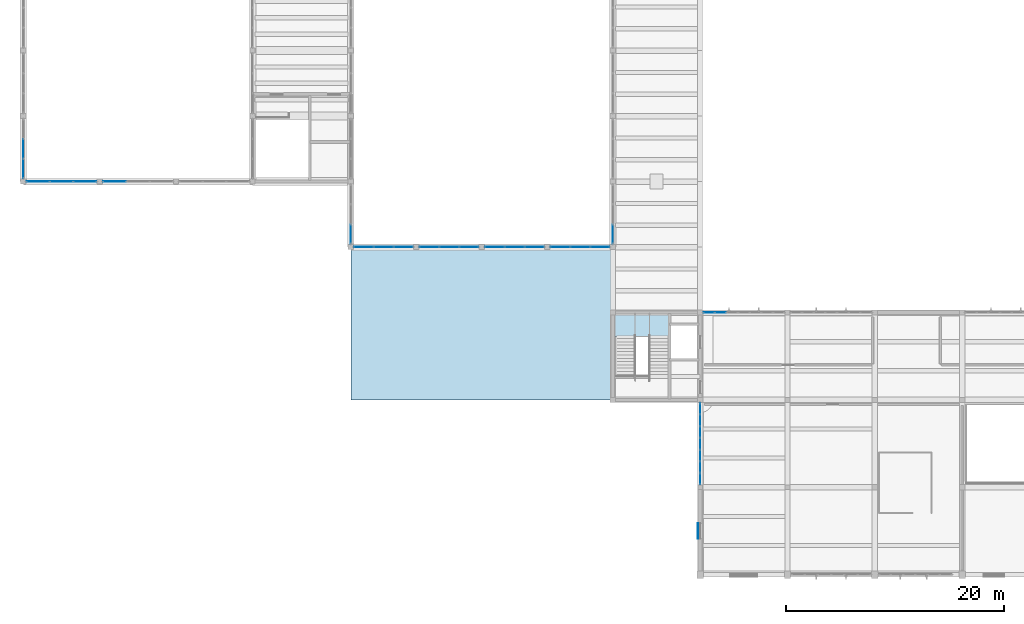
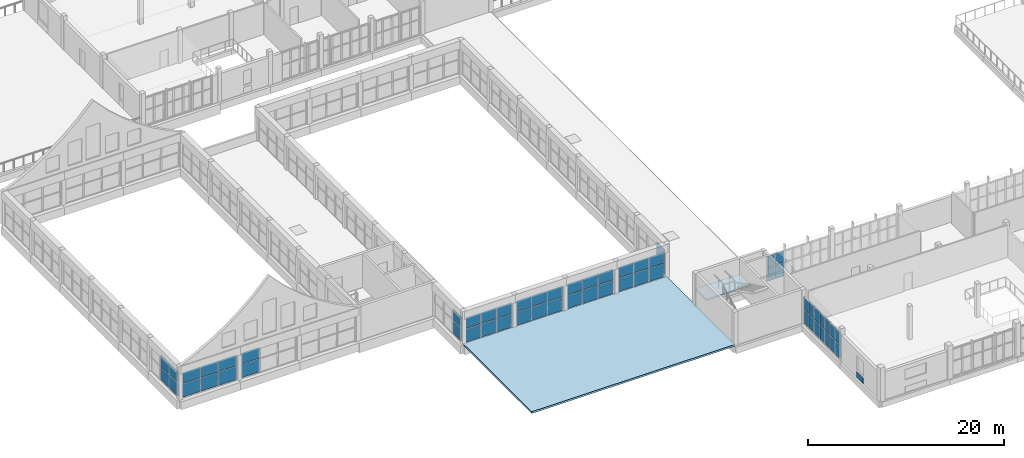
# One storey, part 39 of 70: 59 plates, 2 slabs, 12 elements without a shape of their own.
"""IFC4 building model written with IfcOpenShell, lengths in metres."""

from ifc_helpers import new_model, si_unit, direction, frame, origin, origin_2d, place, context, subcontext, project, spatial, polyline, rectangle, outline, extrude, material, layer, layer_set, type_object, element, aggregate, save


model = new_model("IFC4")

# Units and contexts
model_context = context("Model", 3, precision=1e-05, world=origin(), true_north=direction((0.0, 1.0)))
body_context = subcontext(model_context, "Body", "Model", "MODEL_VIEW")
ifc_project = project(units=[si_unit("LENGTHUNIT", "METRE"), si_unit("AREAUNIT", "SQUARE_METRE"), si_unit("VOLUMEUNIT", "CUBIC_METRE"), si_unit("PLANEANGLEUNIT", "RADIAN"), si_unit("MASSUNIT", "GRAM", prefix="KILO")], contexts=[model_context])

# Site, building, storey
site_placement = place(None, origin())
site = spatial("IfcSite", under=ifc_project, at=site_placement, CompositionType="ELEMENT")
building_placement = place(site_placement, origin())
building = spatial("IfcBuilding", under=site, at=building_placement, Name="Solvane Community Centre", CompositionType="ELEMENT")
storey_placement = place(building_placement, frame((0.0, 0.0, 9.60009765625)))
storey = spatial("IfcBuildingStorey", under=building, at=storey_placement, Name="L02", CompositionType="ELEMENT", Elevation=9.60009765625)

# Plate
ifc_material_1 = material(Name="Anodised bronze aluminium AW-6063 T6", Category="aluminium")
ifc_layer_1 = layer(ifc_material_1, 0.02392578125)
ifc_layer_set_1 = layer_set([ifc_layer_1], Name="Anodised bronze aluminium AW-6063 T6")
plate_type_1 = type_object("IfcPlateType", Name="Bronze Spandrel Cassette 24mm", PredefinedType="SHEET", material=ifc_layer_set_1)
plate_1_placement = place(storey_placement, frame((67.81298828125, 10.0, 0.06005859375), z_axis=(0.0, 0.0, 1.0), x_axis=(0.0, 1.0, 0.0)))
element("IfcPlate", 1, at=plate_1_placement, inside=storey, type_object=plate_type_1, Name="Art Deco Spandrel SPC-L02-033", PredefinedType="SHEET", context=body_context, shape_type="SweptSolid", body=[
    extrude(rectangle(XDim=1.39990234375, YDim=0.02392578125, at=origin_2d()), origin(), (0.0, 0.0, 1.0), 0.719970703125),
])

# Slab
ifc_material_2 = material(Name="Cross-laminated timber C24", Category="wood")
ifc_layer_2 = layer(ifc_material_2, 0.199951171875)
ifc_layer_set_2 = layer_set([ifc_layer_2], Name="Cross-laminated timber C24")
slab_type_1 = type_object("IfcSlabType", Name="Insulated Pitched Roof Deck 200mm", PredefinedType="ROOF", material=ifc_layer_set_2)
slab_1_placement = place(storey_placement, frame((0.0, 0.0, -0.22998046875)))
element("IfcSlab", 2, at=slab_1_placement, inside=storey, type_object=slab_type_1, Name="Podium Roof Slab SLB-RF-V1-FOY", PredefinedType="ROOF", context=body_context, shape_type="SweptSolid", body=[
    extrude(outline(polyline([(36.0, 22.0), (60.0, 22.0), (60.0, 36.0), (36.0, 36.0), (36.0, 22.0)])), origin(), (0.0, 0.0, 1.0), 0.22998046875),
])

# Curtain wall, plates
ifc_layer_3 = layer(ifc_material_1, 0.18994140625)
ifc_layer_set_3 = layer_set([ifc_layer_3], Name="Anodised bronze aluminium AW-6063 T6")
curtain_wall_type_1 = type_object("IfcCurtainWallType", Name="Boulevard Bronze Vision Curtain Wall [75x32dm]", PredefinedType="NOTDEFINED", material=ifc_layer_set_3)
curtain_wall_1_placement = place(storey_placement, origin())
curtain_wall_1 = element("IfcCurtainWall", 3, at=curtain_wall_1_placement, inside=storey, type_object=curtain_wall_type_1, Name="Curtain Wall CW-L02-683_300-192", PredefinedType="NOTDEFINED")
ifc_material_3 = material(Name="Tempered low-E double glazing", Category="glass")
ifc_layer_4 = layer(ifc_material_3, 0.028076171875)
ifc_layer_set_4 = layer_set([ifc_layer_4], Name="Tempered low-E double glazing")
plate_type_2 = type_object("IfcPlateType", Name="Low-E Vision Glazing Panel 28mm [75x32dm]", PredefinedType="CURTAIN_PANEL", material=ifc_layer_set_4)
plate_2_placement = place(storey_placement, frame((68.804931640625, 30.0, 0.06005859375), z_axis=(0.0, 0.0, 1.0), x_axis=(1.0, 0.0, 0.0)))
plate_2 = element("IfcPlate", 4, at=plate_2_placement, type_object=plate_type_2, Name="CW02-75x32 panel 1.1", PredefinedType="CURTAIN_PANEL", context=body_context, shape_type="SweptSolid", body=[
    extrude(rectangle(XDim=0.97998046875, YDim=0.028076171875, at=origin_2d()), origin(), (0.0, 0.0, 1.0), 1.695068359375),
])
plate_3_placement = place(storey_placement, frame((68.804931640625, 30.0, 1.81494140625), z_axis=(0.0, 0.0, 1.0), x_axis=(1.0, 0.0, 0.0)))
plate_3 = element("IfcPlate", 5, at=plate_3_placement, type_object=plate_type_2, Name="CW02-75x32 panel 1.2", PredefinedType="CURTAIN_PANEL", context=body_context, shape_type="SweptSolid", body=[
    extrude(rectangle(XDim=0.97998046875, YDim=0.028076171875, at=origin_2d()), origin(), (0.0, 0.0, 1.0), 1.3701171875),
])
plate_4_placement = place(storey_placement, frame((69.860107421875, 30.0, 0.06005859375), z_axis=(0.0, 0.0, 1.0), x_axis=(1.0, 0.0, 0.0)))
plate_4 = element("IfcPlate", 6, at=plate_4_placement, type_object=plate_type_2, Name="CW02-75x32 panel 2.1", PredefinedType="CURTAIN_PANEL", context=body_context, shape_type="SweptSolid", body=[
    extrude(rectangle(XDim=1.010009765625, YDim=0.028076171875, at=origin_2d()), origin(), (0.0, 0.0, 1.0), 1.695068359375),
])
plate_5_placement = place(storey_placement, frame((69.860107421875, 30.0, 1.81494140625), z_axis=(0.0, 0.0, 1.0), x_axis=(1.0, 0.0, 0.0)))
plate_5 = element("IfcPlate", 7, at=plate_5_placement, type_object=plate_type_2, Name="CW02-75x32 panel 2.2", PredefinedType="CURTAIN_PANEL", context=body_context, shape_type="SweptSolid", body=[
    extrude(rectangle(XDim=1.010009765625, YDim=0.028076171875, at=origin_2d()), origin(), (0.0, 0.0, 1.0), 1.3701171875),
])
aggregate(curtain_wall_1, [plate_2, plate_3, plate_4, plate_5])

ifc_layer_5 = layer(ifc_material_1, 0.18994140625)
ifc_layer_set_5 = layer_set([ifc_layer_5], Name="Anodised bronze aluminium AW-6063 T6")
curtain_wall_type_2 = type_object("IfcCurtainWallType", Name="Boulevard Bronze Vision Curtain Wall [75x34dm]", PredefinedType="NOTDEFINED", material=ifc_layer_set_5)
curtain_wall_2_placement = place(storey_placement, origin())
curtain_wall_2 = element("IfcCurtainWall", 8, at=curtain_wall_2_placement, inside=storey, type_object=curtain_wall_type_2, Name="Curtain Wall CW-L02-680_142-191", PredefinedType="NOTDEFINED")
ifc_layer_6 = layer(ifc_material_3, 0.028076171875)
ifc_layer_set_6 = layer_set([ifc_layer_6], Name="Tempered low-E double glazing")
plate_type_3 = type_object("IfcPlateType", Name="Low-E Vision Glazing Panel 28mm [75x34dm]", PredefinedType="CURTAIN_PANEL", material=ifc_layer_set_6)
plate_6_placement = place(storey_placement, frame((68.0, 14.786376953125, 0.06005859375), z_axis=(0.0, 0.0, 1.0), x_axis=(0.0, 1.0, 0.0)))
plate_6 = element("IfcPlate", 9, at=plate_6_placement, type_object=plate_type_3, Name="CW02-75x34 panel 1.1", PredefinedType="CURTAIN_PANEL", context=body_context, shape_type="SweptSolid", body=[
    extrude(rectangle(XDim=0.98291015625, YDim=0.028076171875, at=origin_2d()), origin(), (0.0, 0.0, 1.0), 1.760986328125),
])
plate_7_placement = place(storey_placement, frame((68.0, 14.786376953125, 1.880859375), z_axis=(0.0, 0.0, 1.0), x_axis=(0.0, 1.0, 0.0)))
plate_7 = element("IfcPlate", 10, at=plate_7_placement, type_object=plate_type_3, Name="CW02-75x34 panel 1.2", PredefinedType="CURTAIN_PANEL", context=body_context, shape_type="SweptSolid", body=[
    extrude(rectangle(XDim=0.98291015625, YDim=0.028076171875, at=origin_2d()), origin(), (0.0, 0.0, 1.0), 1.424072265625),
])
plate_8_placement = place(storey_placement, frame((68.0, 15.84423828125, 0.06005859375), z_axis=(0.0, 0.0, 1.0), x_axis=(0.0, 1.0, 0.0)))
plate_8 = element("IfcPlate", 11, at=plate_8_placement, type_object=plate_type_3, Name="CW02-75x34 panel 2.1", PredefinedType="CURTAIN_PANEL", context=body_context, shape_type="SweptSolid", body=[
    extrude(rectangle(XDim=1.012939453125, YDim=0.028076171875, at=origin_2d()), origin(), (0.0, 0.0, 1.0), 1.760986328125),
])
plate_9_placement = place(storey_placement, frame((68.0, 15.84423828125, 1.880859375), z_axis=(0.0, 0.0, 1.0), x_axis=(0.0, 1.0, 0.0)))
plate_9 = element("IfcPlate", 12, at=plate_9_placement, type_object=plate_type_3, Name="CW02-75x34 panel 2.2", PredefinedType="CURTAIN_PANEL", context=body_context, shape_type="SweptSolid", body=[
    extrude(rectangle(XDim=1.012939453125, YDim=0.028076171875, at=origin_2d()), origin(), (0.0, 0.0, 1.0), 1.424072265625),
])
plate_10_placement = place(storey_placement, frame((68.0, 16.917236328125, 0.06005859375), z_axis=(0.0, 0.0, 1.0), x_axis=(0.0, 1.0, 0.0)))
plate_10 = element("IfcPlate", 13, at=plate_10_placement, type_object=plate_type_3, Name="CW02-75x34 panel 3.1", PredefinedType="CURTAIN_PANEL", context=body_context, shape_type="SweptSolid", body=[
    extrude(rectangle(XDim=1.012939453125, YDim=0.028076171875, at=origin_2d()), origin(), (0.0, 0.0, 1.0), 1.760986328125),
])
plate_11_placement = place(storey_placement, frame((68.0, 16.917236328125, 1.880859375), z_axis=(0.0, 0.0, 1.0), x_axis=(0.0, 1.0, 0.0)))
plate_11 = element("IfcPlate", 14, at=plate_11_placement, type_object=plate_type_3, Name="CW02-75x34 panel 3.2", PredefinedType="CURTAIN_PANEL", context=body_context, shape_type="SweptSolid", body=[
    extrude(rectangle(XDim=1.012939453125, YDim=0.028076171875, at=origin_2d()), origin(), (0.0, 0.0, 1.0), 1.424072265625),
])
plate_12_placement = place(storey_placement, frame((68.0, 17.989990234375, 0.06005859375), z_axis=(0.0, 0.0, 1.0), x_axis=(0.0, 1.0, 0.0)))
plate_12 = element("IfcPlate", 15, at=plate_12_placement, type_object=plate_type_3, Name="CW02-75x34 panel 4.1", PredefinedType="CURTAIN_PANEL", context=body_context, shape_type="SweptSolid", body=[
    extrude(rectangle(XDim=1.012939453125, YDim=0.028076171875, at=origin_2d()), origin(), (0.0, 0.0, 1.0), 1.760986328125),
])
plate_13_placement = place(storey_placement, frame((68.0, 17.989990234375, 1.880859375), z_axis=(0.0, 0.0, 1.0), x_axis=(0.0, 1.0, 0.0)))
plate_13 = element("IfcPlate", 16, at=plate_13_placement, type_object=plate_type_3, Name="CW02-75x34 panel 4.2", PredefinedType="CURTAIN_PANEL", context=body_context, shape_type="SweptSolid", body=[
    extrude(rectangle(XDim=1.012939453125, YDim=0.028076171875, at=origin_2d()), origin(), (0.0, 0.0, 1.0), 1.424072265625),
])
plate_14_placement = place(storey_placement, frame((68.0, 19.062744140625, 0.06005859375), z_axis=(0.0, 0.0, 1.0), x_axis=(0.0, 1.0, 0.0)))
plate_14 = element("IfcPlate", 17, at=plate_14_placement, type_object=plate_type_3, Name="CW02-75x34 panel 5.1", PredefinedType="CURTAIN_PANEL", context=body_context, shape_type="SweptSolid", body=[
    extrude(rectangle(XDim=1.012939453125, YDim=0.028076171875, at=origin_2d()), origin(), (0.0, 0.0, 1.0), 1.760986328125),
])
plate_15_placement = place(storey_placement, frame((68.0, 19.062744140625, 1.880859375), z_axis=(0.0, 0.0, 1.0), x_axis=(0.0, 1.0, 0.0)))
plate_15 = element("IfcPlate", 18, at=plate_15_placement, type_object=plate_type_3, Name="CW02-75x34 panel 5.2", PredefinedType="CURTAIN_PANEL", context=body_context, shape_type="SweptSolid", body=[
    extrude(rectangle(XDim=1.012939453125, YDim=0.028076171875, at=origin_2d()), origin(), (0.0, 0.0, 1.0), 1.424072265625),
])
plate_16_placement = place(storey_placement, frame((68.0, 20.1357421875, 0.06005859375), z_axis=(0.0, 0.0, 1.0), x_axis=(0.0, 1.0, 0.0)))
plate_16 = element("IfcPlate", 19, at=plate_16_placement, type_object=plate_type_3, Name="CW02-75x34 panel 6.1", PredefinedType="CURTAIN_PANEL", context=body_context, shape_type="SweptSolid", body=[
    extrude(rectangle(XDim=1.012939453125, YDim=0.028076171875, at=origin_2d()), origin(), (0.0, 0.0, 1.0), 1.760986328125),
])
plate_17_placement = place(storey_placement, frame((68.0, 20.1357421875, 1.880859375), z_axis=(0.0, 0.0, 1.0), x_axis=(0.0, 1.0, 0.0)))
plate_17 = element("IfcPlate", 20, at=plate_17_placement, type_object=plate_type_3, Name="CW02-75x34 panel 6.2", PredefinedType="CURTAIN_PANEL", context=body_context, shape_type="SweptSolid", body=[
    extrude(rectangle(XDim=1.012939453125, YDim=0.028076171875, at=origin_2d()), origin(), (0.0, 0.0, 1.0), 1.424072265625),
])
plate_18_placement = place(storey_placement, frame((68.0, 21.193603515625, 0.06005859375), z_axis=(0.0, 0.0, 1.0), x_axis=(0.0, 1.0, 0.0)))
plate_18 = element("IfcPlate", 21, at=plate_18_placement, type_object=plate_type_3, Name="CW02-75x34 panel 7.1", PredefinedType="CURTAIN_PANEL", context=body_context, shape_type="SweptSolid", body=[
    extrude(rectangle(XDim=0.98291015625, YDim=0.028076171875, at=origin_2d()), origin(), (0.0, 0.0, 1.0), 1.760986328125),
])
plate_19_placement = place(storey_placement, frame((68.0, 21.193603515625, 1.880859375), z_axis=(0.0, 0.0, 1.0), x_axis=(0.0, 1.0, 0.0)))
plate_19 = element("IfcPlate", 22, at=plate_19_placement, type_object=plate_type_3, Name="CW02-75x34 panel 7.2", PredefinedType="CURTAIN_PANEL", context=body_context, shape_type="SweptSolid", body=[
    extrude(rectangle(XDim=0.98291015625, YDim=0.028076171875, at=origin_2d()), origin(), (0.0, 0.0, 1.0), 1.424072265625),
])
aggregate(curtain_wall_2, [plate_6, plate_7, plate_8, plate_9, plate_10, plate_11, plate_12, plate_13, plate_14, plate_15, plate_16, plate_17, plate_18, plate_19])

# Stair, slab
ifc_material_4 = material(Name="Concrete C35/45", Category="concrete")
stair_type = type_object("IfcStairType", Name="RC Two-Flight Escape Stair 1720mm", PredefinedType="TWO_STRAIGHT_RUN_STAIR", material=ifc_material_4)
stair_placement = place(storey_placement, origin())
stair = element("IfcStair", 23, at=stair_placement, inside=storey, type_object=stair_type, Name="Stair STR-C1-L02", PredefinedType="TWO_STRAIGHT_RUN_STAIR")
ifc_layer_7 = layer(ifc_material_4, 0.199951171875)
ifc_layer_set_7 = layer_set([ifc_layer_7], Name="Concrete C35/45")
slab_type_2 = type_object("IfcSlabType", Name="RC Stair Half-Landing Slab 200mm", PredefinedType="LANDING", material=ifc_layer_set_7)
slab_2_placement = place(storey_placement, frame((0.0, 0.0, 1.89990234375)))
slab_2 = element("IfcSlab", 24, at=slab_2_placement, type_object=slab_type_2, Name="ST-01 landing 1", PredefinedType="LANDING", context=body_context, shape_type="SweptSolid", body=[
    extrude(outline(polyline([(59.9599609375, 27.800048828125), (65.239990234375, 27.800048828125), (65.239990234375, 30.0400390625), (59.9599609375, 30.0400390625), (59.9599609375, 27.800048828125)])), origin(), (0.0, 0.0, 1.0), 0.199951171875),
])
aggregate(stair, [slab_2])

# Curtain wall, plates
ifc_layer_8 = layer(ifc_material_1, 0.179931640625)
ifc_layer_set_8 = layer_set([ifc_layer_8], Name="Anodised bronze aluminium AW-6063 T6")
curtain_wall_type_3 = type_object("IfcCurtainWallType", Name="Hall Translucent Upper Curtain Wall [55x32dm]", PredefinedType="NOTDEFINED", material=ifc_layer_set_8)
curtain_wall_3_placement = place(storey_placement, origin())
curtain_wall_3 = element("IfcCurtainWall", 25, at=curtain_wall_3_placement, inside=storey, type_object=curtain_wall_type_3, Name="Curtain Wall CW-L02-360_417-128", PredefinedType="NOTDEFINED")
ifc_material_5 = material(Name="Translucent polycarbonate panel")
ifc_layer_9 = layer(ifc_material_5, 0.028076171875)
ifc_layer_set_9 = layer_set([ifc_layer_9], Name="Translucent polycarbonate panel")
plate_type_4 = type_object("IfcPlateType", Name="Translucent Polycarbonate Panel 28mm [55x32dm]", PredefinedType="CURTAIN_PANEL", material=ifc_layer_set_9)
plate_20_placement = place(storey_placement, frame((36.0, 37.18505859375, 0.059814453125), z_axis=(0.0, 0.0, 1.0), x_axis=(0.0, -1.0, 0.0)))
plate_20 = element("IfcPlate", 26, at=plate_20_placement, type_object=plate_type_4, Name="CW01-55x32 panel 3.1", PredefinedType="CURTAIN_PANEL", context=body_context, shape_type="SweptSolid", body=[
    extrude(rectangle(XDim=1.739990234375, YDim=0.028076171875, at=origin_2d()), origin(), (0.0, 0.0, 1.0), 1.662109375),
])
plate_21_placement = place(storey_placement, frame((36.0, 37.18505859375, 1.78173828125), z_axis=(0.0, 0.0, 1.0), x_axis=(0.0, -1.0, 0.0)))
plate_21 = element("IfcPlate", 27, at=plate_21_placement, type_object=plate_type_4, Name="CW01-55x32 panel 3.2", PredefinedType="CURTAIN_PANEL", context=body_context, shape_type="SweptSolid", body=[
    extrude(rectangle(XDim=1.739990234375, YDim=0.028076171875, at=origin_2d()), origin(), (0.0, 0.0, 1.0), 1.343017578125),
])
aggregate(curtain_wall_3, [plate_20, plate_21])

curtain_wall_4_placement = place(storey_placement, origin())
curtain_wall_4 = element("IfcCurtainWall", 28, at=curtain_wall_4_placement, inside=storey, type_object=curtain_wall_type_3, Name="Curtain Wall CW-L02-600_363-136", PredefinedType="NOTDEFINED")
plate_22_placement = place(storey_placement, frame((60.0, 37.18505859375, 0.059814453125), z_axis=(0.0, 0.0, 1.0), x_axis=(0.0, 1.0, 0.0)))
plate_22 = element("IfcPlate", 29, at=plate_22_placement, type_object=plate_type_4, Name="CW01-55x32 panel 1.1", PredefinedType="CURTAIN_PANEL", context=body_context, shape_type="SweptSolid", body=[
    extrude(rectangle(XDim=1.739990234375, YDim=0.028076171875, at=origin_2d()), origin(), (0.0, 0.0, 1.0), 1.662109375),
])
plate_23_placement = place(storey_placement, frame((60.0, 37.18505859375, 1.78173828125), z_axis=(0.0, 0.0, 1.0), x_axis=(0.0, 1.0, 0.0)))
plate_23 = element("IfcPlate", 30, at=plate_23_placement, type_object=plate_type_4, Name="CW01-55x32 panel 1.2", PredefinedType="CURTAIN_PANEL", context=body_context, shape_type="SweptSolid", body=[
    extrude(rectangle(XDim=1.739990234375, YDim=0.028076171875, at=origin_2d()), origin(), (0.0, 0.0, 1.0), 1.343017578125),
])
aggregate(curtain_wall_4, [plate_22, plate_23])

curtain_wall_5_placement = place(storey_placement, origin())
curtain_wall_5 = element("IfcCurtainWall", 31, at=curtain_wall_5_placement, inside=storey, type_object=curtain_wall_type_3, Name="Curtain Wall CW-L02-597_360-150", PredefinedType="NOTDEFINED")
plate_24_placement = place(storey_placement, frame((58.81494140625, 36.0, 0.059814453125), z_axis=(0.0, 0.0, 1.0), x_axis=(-1.0, 0.0, 0.0)))
plate_24 = element("IfcPlate", 32, at=plate_24_placement, type_object=plate_type_4, Name="CW01-55x32 panel 1.1", PredefinedType="CURTAIN_PANEL", context=body_context, shape_type="SweptSolid", body=[
    extrude(rectangle(XDim=1.739990234375, YDim=0.028076171875, at=origin_2d()), origin(), (0.0, 0.0, 1.0), 1.662109375),
])
plate_25_placement = place(storey_placement, frame((58.81494140625, 36.0, 1.78173828125), z_axis=(0.0, 0.0, 1.0), x_axis=(-1.0, 0.0, 0.0)))
plate_25 = element("IfcPlate", 33, at=plate_25_placement, type_object=plate_type_4, Name="CW01-55x32 panel 1.2", PredefinedType="CURTAIN_PANEL", context=body_context, shape_type="SweptSolid", body=[
    extrude(rectangle(XDim=1.739990234375, YDim=0.028076171875, at=origin_2d()), origin(), (0.0, 0.0, 1.0), 1.343017578125),
])
plate_26_placement = place(storey_placement, frame((57.0, 36.0, 0.059814453125), z_axis=(0.0, 0.0, 1.0), x_axis=(-1.0, 0.0, 0.0)))
plate_26 = element("IfcPlate", 34, at=plate_26_placement, type_object=plate_type_4, Name="CW01-55x32 panel 2.1", PredefinedType="CURTAIN_PANEL", context=body_context, shape_type="SweptSolid", body=[
    extrude(rectangle(XDim=1.77001953125, YDim=0.028076171875, at=origin_2d()), origin(), (0.0, 0.0, 1.0), 1.662109375),
])
plate_27_placement = place(storey_placement, frame((57.0, 36.0, 1.78173828125), z_axis=(0.0, 0.0, 1.0), x_axis=(-1.0, 0.0, 0.0)))
plate_27 = element("IfcPlate", 35, at=plate_27_placement, type_object=plate_type_4, Name="CW01-55x32 panel 2.2", PredefinedType="CURTAIN_PANEL", context=body_context, shape_type="SweptSolid", body=[
    extrude(rectangle(XDim=1.77001953125, YDim=0.028076171875, at=origin_2d()), origin(), (0.0, 0.0, 1.0), 1.343017578125),
])
plate_28_placement = place(storey_placement, frame((55.18505859375, 36.0, 0.059814453125), z_axis=(0.0, 0.0, 1.0), x_axis=(-1.0, 0.0, 0.0)))
plate_28 = element("IfcPlate", 36, at=plate_28_placement, type_object=plate_type_4, Name="CW01-55x32 panel 3.1", PredefinedType="CURTAIN_PANEL", context=body_context, shape_type="SweptSolid", body=[
    extrude(rectangle(XDim=1.739990234375, YDim=0.028076171875, at=origin_2d()), origin(), (0.0, 0.0, 1.0), 1.662109375),
])
plate_29_placement = place(storey_placement, frame((55.18505859375, 36.0, 1.78173828125), z_axis=(0.0, 0.0, 1.0), x_axis=(-1.0, 0.0, 0.0)))
plate_29 = element("IfcPlate", 37, at=plate_29_placement, type_object=plate_type_4, Name="CW01-55x32 panel 3.2", PredefinedType="CURTAIN_PANEL", context=body_context, shape_type="SweptSolid", body=[
    extrude(rectangle(XDim=1.739990234375, YDim=0.028076171875, at=origin_2d()), origin(), (0.0, 0.0, 1.0), 1.343017578125),
])
aggregate(curtain_wall_5, [plate_24, plate_25, plate_26, plate_27, plate_28, plate_29])

curtain_wall_6_placement = place(storey_placement, origin())
curtain_wall_6 = element("IfcCurtainWall", 38, at=curtain_wall_6_placement, inside=storey, type_object=curtain_wall_type_3, Name="Curtain Wall CW-L02-537_360-151", PredefinedType="NOTDEFINED")
plate_30_placement = place(storey_placement, frame((52.81494140625, 36.0, 0.059814453125), z_axis=(0.0, 0.0, 1.0), x_axis=(-1.0, 0.0, 0.0)))
plate_30 = element("IfcPlate", 39, at=plate_30_placement, type_object=plate_type_4, Name="CW01-55x32 panel 1.1", PredefinedType="CURTAIN_PANEL", context=body_context, shape_type="SweptSolid", body=[
    extrude(rectangle(XDim=1.739990234375, YDim=0.028076171875, at=origin_2d()), origin(), (0.0, 0.0, 1.0), 1.662109375),
])
plate_31_placement = place(storey_placement, frame((52.81494140625, 36.0, 1.78173828125), z_axis=(0.0, 0.0, 1.0), x_axis=(-1.0, 0.0, 0.0)))
plate_31 = element("IfcPlate", 40, at=plate_31_placement, type_object=plate_type_4, Name="CW01-55x32 panel 1.2", PredefinedType="CURTAIN_PANEL", context=body_context, shape_type="SweptSolid", body=[
    extrude(rectangle(XDim=1.739990234375, YDim=0.028076171875, at=origin_2d()), origin(), (0.0, 0.0, 1.0), 1.343017578125),
])
plate_32_placement = place(storey_placement, frame((51.0, 36.0, 0.059814453125), z_axis=(0.0, 0.0, 1.0), x_axis=(-1.0, 0.0, 0.0)))
plate_32 = element("IfcPlate", 41, at=plate_32_placement, type_object=plate_type_4, Name="CW01-55x32 panel 2.1", PredefinedType="CURTAIN_PANEL", context=body_context, shape_type="SweptSolid", body=[
    extrude(rectangle(XDim=1.77001953125, YDim=0.028076171875, at=origin_2d()), origin(), (0.0, 0.0, 1.0), 1.662109375),
])
plate_33_placement = place(storey_placement, frame((51.0, 36.0, 1.78173828125), z_axis=(0.0, 0.0, 1.0), x_axis=(-1.0, 0.0, 0.0)))
plate_33 = element("IfcPlate", 42, at=plate_33_placement, type_object=plate_type_4, Name="CW01-55x32 panel 2.2", PredefinedType="CURTAIN_PANEL", context=body_context, shape_type="SweptSolid", body=[
    extrude(rectangle(XDim=1.77001953125, YDim=0.028076171875, at=origin_2d()), origin(), (0.0, 0.0, 1.0), 1.343017578125),
])
plate_34_placement = place(storey_placement, frame((49.18505859375, 36.0, 0.059814453125), z_axis=(0.0, 0.0, 1.0), x_axis=(-1.0, 0.0, 0.0)))
plate_34 = element("IfcPlate", 43, at=plate_34_placement, type_object=plate_type_4, Name="CW01-55x32 panel 3.1", PredefinedType="CURTAIN_PANEL", context=body_context, shape_type="SweptSolid", body=[
    extrude(rectangle(XDim=1.739990234375, YDim=0.028076171875, at=origin_2d()), origin(), (0.0, 0.0, 1.0), 1.662109375),
])
plate_35_placement = place(storey_placement, frame((49.18505859375, 36.0, 1.78173828125), z_axis=(0.0, 0.0, 1.0), x_axis=(-1.0, 0.0, 0.0)))
plate_35 = element("IfcPlate", 44, at=plate_35_placement, type_object=plate_type_4, Name="CW01-55x32 panel 3.2", PredefinedType="CURTAIN_PANEL", context=body_context, shape_type="SweptSolid", body=[
    extrude(rectangle(XDim=1.739990234375, YDim=0.028076171875, at=origin_2d()), origin(), (0.0, 0.0, 1.0), 1.343017578125),
])
aggregate(curtain_wall_6, [plate_30, plate_31, plate_32, plate_33, plate_34, plate_35])

curtain_wall_7_placement = place(storey_placement, origin())
curtain_wall_7 = element("IfcCurtainWall", 45, at=curtain_wall_7_placement, inside=storey, type_object=curtain_wall_type_3, Name="Curtain Wall CW-L02-477_360-152", PredefinedType="NOTDEFINED")
plate_36_placement = place(storey_placement, frame((46.81494140625, 36.0, 0.059814453125), z_axis=(0.0, 0.0, 1.0), x_axis=(-1.0, 0.0, 0.0)))
plate_36 = element("IfcPlate", 46, at=plate_36_placement, type_object=plate_type_4, Name="CW01-55x32 panel 1.1", PredefinedType="CURTAIN_PANEL", context=body_context, shape_type="SweptSolid", body=[
    extrude(rectangle(XDim=1.739990234375, YDim=0.028076171875, at=origin_2d()), origin(), (0.0, 0.0, 1.0), 1.662109375),
])
plate_37_placement = place(storey_placement, frame((46.81494140625, 36.0, 1.78173828125), z_axis=(0.0, 0.0, 1.0), x_axis=(-1.0, 0.0, 0.0)))
plate_37 = element("IfcPlate", 47, at=plate_37_placement, type_object=plate_type_4, Name="CW01-55x32 panel 1.2", PredefinedType="CURTAIN_PANEL", context=body_context, shape_type="SweptSolid", body=[
    extrude(rectangle(XDim=1.739990234375, YDim=0.028076171875, at=origin_2d()), origin(), (0.0, 0.0, 1.0), 1.343017578125),
])
plate_38_placement = place(storey_placement, frame((45.0, 36.0, 0.059814453125), z_axis=(0.0, 0.0, 1.0), x_axis=(-1.0, 0.0, 0.0)))
plate_38 = element("IfcPlate", 48, at=plate_38_placement, type_object=plate_type_4, Name="CW01-55x32 panel 2.1", PredefinedType="CURTAIN_PANEL", context=body_context, shape_type="SweptSolid", body=[
    extrude(rectangle(XDim=1.77001953125, YDim=0.028076171875, at=origin_2d()), origin(), (0.0, 0.0, 1.0), 1.662109375),
])
plate_39_placement = place(storey_placement, frame((45.0, 36.0, 1.78173828125), z_axis=(0.0, 0.0, 1.0), x_axis=(-1.0, 0.0, 0.0)))
plate_39 = element("IfcPlate", 49, at=plate_39_placement, type_object=plate_type_4, Name="CW01-55x32 panel 2.2", PredefinedType="CURTAIN_PANEL", context=body_context, shape_type="SweptSolid", body=[
    extrude(rectangle(XDim=1.77001953125, YDim=0.028076171875, at=origin_2d()), origin(), (0.0, 0.0, 1.0), 1.343017578125),
])
plate_40_placement = place(storey_placement, frame((43.18505859375, 36.0, 0.059814453125), z_axis=(0.0, 0.0, 1.0), x_axis=(-1.0, 0.0, 0.0)))
plate_40 = element("IfcPlate", 50, at=plate_40_placement, type_object=plate_type_4, Name="CW01-55x32 panel 3.1", PredefinedType="CURTAIN_PANEL", context=body_context, shape_type="SweptSolid", body=[
    extrude(rectangle(XDim=1.739990234375, YDim=0.028076171875, at=origin_2d()), origin(), (0.0, 0.0, 1.0), 1.662109375),
])
plate_41_placement = place(storey_placement, frame((43.18505859375, 36.0, 1.78173828125), z_axis=(0.0, 0.0, 1.0), x_axis=(-1.0, 0.0, 0.0)))
plate_41 = element("IfcPlate", 51, at=plate_41_placement, type_object=plate_type_4, Name="CW01-55x32 panel 3.2", PredefinedType="CURTAIN_PANEL", context=body_context, shape_type="SweptSolid", body=[
    extrude(rectangle(XDim=1.739990234375, YDim=0.028076171875, at=origin_2d()), origin(), (0.0, 0.0, 1.0), 1.343017578125),
])
aggregate(curtain_wall_7, [plate_36, plate_37, plate_38, plate_39, plate_40, plate_41])

curtain_wall_8_placement = place(storey_placement, origin())
curtain_wall_8 = element("IfcCurtainWall", 52, at=curtain_wall_8_placement, inside=storey, type_object=curtain_wall_type_3, Name="Curtain Wall CW-L02-417_360-153", PredefinedType="NOTDEFINED")
plate_42_placement = place(storey_placement, frame((40.81494140625, 36.0, 0.059814453125), z_axis=(0.0, 0.0, 1.0), x_axis=(-1.0, 0.0, 0.0)))
plate_42 = element("IfcPlate", 53, at=plate_42_placement, type_object=plate_type_4, Name="CW01-55x32 panel 1.1", PredefinedType="CURTAIN_PANEL", context=body_context, shape_type="SweptSolid", body=[
    extrude(rectangle(XDim=1.739990234375, YDim=0.028076171875, at=origin_2d()), origin(), (0.0, 0.0, 1.0), 1.662109375),
])
plate_43_placement = place(storey_placement, frame((40.81494140625, 36.0, 1.78173828125), z_axis=(0.0, 0.0, 1.0), x_axis=(-1.0, 0.0, 0.0)))
plate_43 = element("IfcPlate", 54, at=plate_43_placement, type_object=plate_type_4, Name="CW01-55x32 panel 1.2", PredefinedType="CURTAIN_PANEL", context=body_context, shape_type="SweptSolid", body=[
    extrude(rectangle(XDim=1.739990234375, YDim=0.028076171875, at=origin_2d()), origin(), (0.0, 0.0, 1.0), 1.343017578125),
])
plate_44_placement = place(storey_placement, frame((39.0, 36.0, 0.059814453125), z_axis=(0.0, 0.0, 1.0), x_axis=(-1.0, 0.0, 0.0)))
plate_44 = element("IfcPlate", 55, at=plate_44_placement, type_object=plate_type_4, Name="CW01-55x32 panel 2.1", PredefinedType="CURTAIN_PANEL", context=body_context, shape_type="SweptSolid", body=[
    extrude(rectangle(XDim=1.77001953125, YDim=0.028076171875, at=origin_2d()), origin(), (0.0, 0.0, 1.0), 1.662109375),
])
plate_45_placement = place(storey_placement, frame((39.0, 36.0, 1.78173828125), z_axis=(0.0, 0.0, 1.0), x_axis=(-1.0, 0.0, 0.0)))
plate_45 = element("IfcPlate", 56, at=plate_45_placement, type_object=plate_type_4, Name="CW01-55x32 panel 2.2", PredefinedType="CURTAIN_PANEL", context=body_context, shape_type="SweptSolid", body=[
    extrude(rectangle(XDim=1.77001953125, YDim=0.028076171875, at=origin_2d()), origin(), (0.0, 0.0, 1.0), 1.343017578125),
])
plate_46_placement = place(storey_placement, frame((37.18505859375, 36.0, 0.059814453125), z_axis=(0.0, 0.0, 1.0), x_axis=(-1.0, 0.0, 0.0)))
plate_46 = element("IfcPlate", 57, at=plate_46_placement, type_object=plate_type_4, Name="CW01-55x32 panel 3.1", PredefinedType="CURTAIN_PANEL", context=body_context, shape_type="SweptSolid", body=[
    extrude(rectangle(XDim=1.739990234375, YDim=0.028076171875, at=origin_2d()), origin(), (0.0, 0.0, 1.0), 1.662109375),
])
plate_47_placement = place(storey_placement, frame((37.18505859375, 36.0, 1.78173828125), z_axis=(0.0, 0.0, 1.0), x_axis=(-1.0, 0.0, 0.0)))
plate_47 = element("IfcPlate", 58, at=plate_47_placement, type_object=plate_type_4, Name="CW01-55x32 panel 3.2", PredefinedType="CURTAIN_PANEL", context=body_context, shape_type="SweptSolid", body=[
    extrude(rectangle(XDim=1.739990234375, YDim=0.028076171875, at=origin_2d()), origin(), (0.0, 0.0, 1.0), 1.343017578125),
])
aggregate(curtain_wall_8, [plate_42, plate_43, plate_44, plate_45, plate_46, plate_47])

curtain_wall_9_placement = place(storey_placement, origin())
curtain_wall_9 = element("IfcCurtainWall", 59, at=curtain_wall_9_placement, inside=storey, type_object=curtain_wall_type_3, Name="Curtain Wall CW-L02-60_477-171", PredefinedType="NOTDEFINED")
plate_48_placement = place(storey_placement, frame((6.0, 45.0, 0.059814453125), z_axis=(0.0, 0.0, 1.0), x_axis=(0.0, -1.0, 0.0)))
plate_48 = element("IfcPlate", 60, at=plate_48_placement, type_object=plate_type_4, Name="CW01-55x32 panel 2.1", PredefinedType="CURTAIN_PANEL", context=body_context, shape_type="SweptSolid", body=[
    extrude(rectangle(XDim=1.77001953125, YDim=0.028076171875, at=origin_2d()), origin(), (0.0, 0.0, 1.0), 1.662109375),
])
plate_49_placement = place(storey_placement, frame((6.0, 45.0, 1.78173828125), z_axis=(0.0, 0.0, 1.0), x_axis=(0.0, -1.0, 0.0)))
plate_49 = element("IfcPlate", 61, at=plate_49_placement, type_object=plate_type_4, Name="CW01-55x32 panel 2.2", PredefinedType="CURTAIN_PANEL", context=body_context, shape_type="SweptSolid", body=[
    extrude(rectangle(XDim=1.77001953125, YDim=0.028076171875, at=origin_2d()), origin(), (0.0, 0.0, 1.0), 1.343017578125),
])
plate_50_placement = place(storey_placement, frame((6.0, 43.18505859375, 0.059814453125), z_axis=(0.0, 0.0, 1.0), x_axis=(0.0, -1.0, 0.0)))
plate_50 = element("IfcPlate", 62, at=plate_50_placement, type_object=plate_type_4, Name="CW01-55x32 panel 3.1", PredefinedType="CURTAIN_PANEL", context=body_context, shape_type="SweptSolid", body=[
    extrude(rectangle(XDim=1.739990234375, YDim=0.028076171875, at=origin_2d()), origin(), (0.0, 0.0, 1.0), 1.662109375),
])
plate_51_placement = place(storey_placement, frame((6.0, 43.18505859375, 1.78173828125), z_axis=(0.0, 0.0, 1.0), x_axis=(0.0, -1.0, 0.0)))
plate_51 = element("IfcPlate", 63, at=plate_51_placement, type_object=plate_type_4, Name="CW01-55x32 panel 3.2", PredefinedType="CURTAIN_PANEL", context=body_context, shape_type="SweptSolid", body=[
    extrude(rectangle(XDim=1.739990234375, YDim=0.028076171875, at=origin_2d()), origin(), (0.0, 0.0, 1.0), 1.343017578125),
])
aggregate(curtain_wall_9, [plate_48, plate_49, plate_50, plate_51])

ifc_layer_10 = layer(ifc_material_1, 0.179931640625)
ifc_layer_set_10 = layer_set([ifc_layer_10], Name="Anodised bronze aluminium AW-6063 T6")
curtain_wall_type_4 = type_object("IfcCurtainWallType", Name="Hall Translucent Upper Curtain Wall [65x32dm]", PredefinedType="NOTDEFINED", material=ifc_layer_set_10)
curtain_wall_10_placement = place(storey_placement, origin())
curtain_wall_10 = element("IfcCurtainWall", 64, at=curtain_wall_10_placement, inside=storey, type_object=curtain_wall_type_4, Name="Curtain Wall CW-L02-197_420-179", PredefinedType="NOTDEFINED")
ifc_layer_11 = layer(ifc_material_5, 0.028076171875)
ifc_layer_set_11 = layer_set([ifc_layer_11], Name="Translucent polycarbonate panel")
plate_type_5 = type_object("IfcPlateType", Name="Translucent Polycarbonate Panel 28mm [65x32dm]", PredefinedType="CURTAIN_PANEL", material=ifc_layer_set_11)
plate_52_placement = place(storey_placement, frame((14.3515625, 42.0, 0.059814453125), z_axis=(0.0, 0.0, 1.0), x_axis=(-1.0, 0.0, 0.0)))
plate_52 = element("IfcPlate", 65, at=plate_52_placement, type_object=plate_type_5, Name="CW01-65x32 panel 3.1", PredefinedType="CURTAIN_PANEL", context=body_context, shape_type="SweptSolid", body=[
    extrude(rectangle(XDim=2.0732421875, YDim=0.028076171875, at=origin_2d()), origin(), (0.0, 0.0, 1.0), 1.662109375),
])
plate_53_placement = place(storey_placement, frame((14.3515625, 42.0, 1.78173828125), z_axis=(0.0, 0.0, 1.0), x_axis=(-1.0, 0.0, 0.0)))
plate_53 = element("IfcPlate", 66, at=plate_53_placement, type_object=plate_type_5, Name="CW01-65x32 panel 3.2", PredefinedType="CURTAIN_PANEL", context=body_context, shape_type="SweptSolid", body=[
    extrude(rectangle(XDim=2.0732421875, YDim=0.028076171875, at=origin_2d()), origin(), (0.0, 0.0, 1.0), 1.343017578125),
])
aggregate(curtain_wall_10, [plate_52, plate_53])

curtain_wall_11_placement = place(storey_placement, origin())
curtain_wall_11 = element("IfcCurtainWall", 67, at=curtain_wall_11_placement, inside=storey, type_object=curtain_wall_type_4, Name="Curtain Wall CW-L02-127_420-180", PredefinedType="NOTDEFINED")
plate_54_placement = place(storey_placement, frame((11.6484375, 42.0, 0.059814453125), z_axis=(0.0, 0.0, 1.0), x_axis=(-1.0, 0.0, 0.0)))
plate_54 = element("IfcPlate", 68, at=plate_54_placement, type_object=plate_type_5, Name="CW01-65x32 panel 1.1", PredefinedType="CURTAIN_PANEL", context=body_context, shape_type="SweptSolid", body=[
    extrude(rectangle(XDim=2.0732421875, YDim=0.028076171875, at=origin_2d()), origin(), (0.0, 0.0, 1.0), 1.662109375),
])
plate_55_placement = place(storey_placement, frame((11.6484375, 42.0, 1.78173828125), z_axis=(0.0, 0.0, 1.0), x_axis=(-1.0, 0.0, 0.0)))
plate_55 = element("IfcPlate", 69, at=plate_55_placement, type_object=plate_type_5, Name="CW01-65x32 panel 1.2", PredefinedType="CURTAIN_PANEL", context=body_context, shape_type="SweptSolid", body=[
    extrude(rectangle(XDim=2.0732421875, YDim=0.028076171875, at=origin_2d()), origin(), (0.0, 0.0, 1.0), 1.343017578125),
])
plate_56_placement = place(storey_placement, frame((9.5, 42.0, 0.059814453125), z_axis=(0.0, 0.0, 1.0), x_axis=(-1.0, 0.0, 0.0)))
plate_56 = element("IfcPlate", 70, at=plate_56_placement, type_object=plate_type_5, Name="CW01-65x32 panel 2.1", PredefinedType="CURTAIN_PANEL", context=body_context, shape_type="SweptSolid", body=[
    extrude(rectangle(XDim=2.103271484375, YDim=0.028076171875, at=origin_2d()), origin(), (0.0, 0.0, 1.0), 1.662109375),
])
plate_57_placement = place(storey_placement, frame((9.5, 42.0, 1.78173828125), z_axis=(0.0, 0.0, 1.0), x_axis=(-1.0, 0.0, 0.0)))
plate_57 = element("IfcPlate", 71, at=plate_57_placement, type_object=plate_type_5, Name="CW01-65x32 panel 2.2", PredefinedType="CURTAIN_PANEL", context=body_context, shape_type="SweptSolid", body=[
    extrude(rectangle(XDim=2.103271484375, YDim=0.028076171875, at=origin_2d()), origin(), (0.0, 0.0, 1.0), 1.343017578125),
])
plate_58_placement = place(storey_placement, frame((7.3515625, 42.0, 0.059814453125), z_axis=(0.0, 0.0, 1.0), x_axis=(-1.0, 0.0, 0.0)))
plate_58 = element("IfcPlate", 72, at=plate_58_placement, type_object=plate_type_5, Name="CW01-65x32 panel 3.1", PredefinedType="CURTAIN_PANEL", context=body_context, shape_type="SweptSolid", body=[
    extrude(rectangle(XDim=2.0732421875, YDim=0.028076171875, at=origin_2d()), origin(), (0.0, 0.0, 1.0), 1.662109375),
])
plate_59_placement = place(storey_placement, frame((7.3515625, 42.0, 1.78173828125), z_axis=(0.0, 0.0, 1.0), x_axis=(-1.0, 0.0, 0.0)))
plate_59 = element("IfcPlate", 73, at=plate_59_placement, type_object=plate_type_5, Name="CW01-65x32 panel 3.2", PredefinedType="CURTAIN_PANEL", context=body_context, shape_type="SweptSolid", body=[
    extrude(rectangle(XDim=2.0732421875, YDim=0.028076171875, at=origin_2d()), origin(), (0.0, 0.0, 1.0), 1.343017578125),
])
aggregate(curtain_wall_11, [plate_54, plate_55, plate_56, plate_57, plate_58, plate_59])

save(model, "model.ifc")
